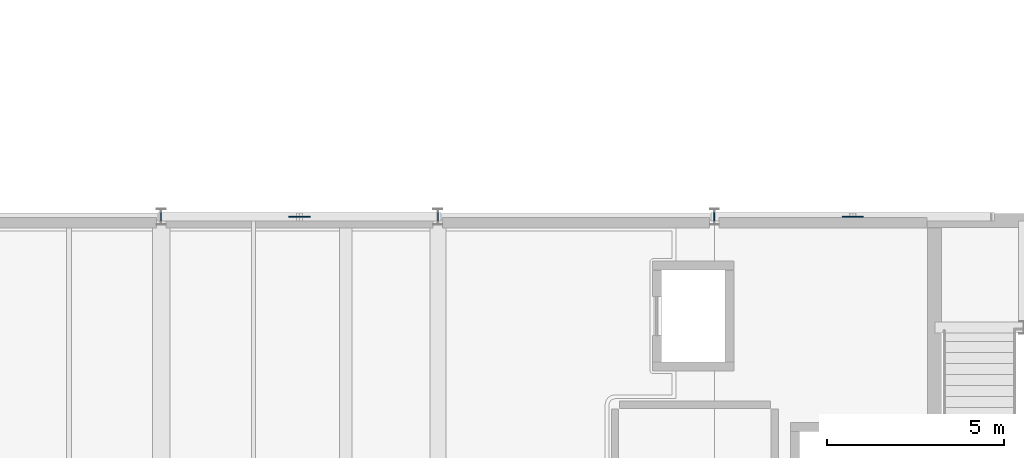
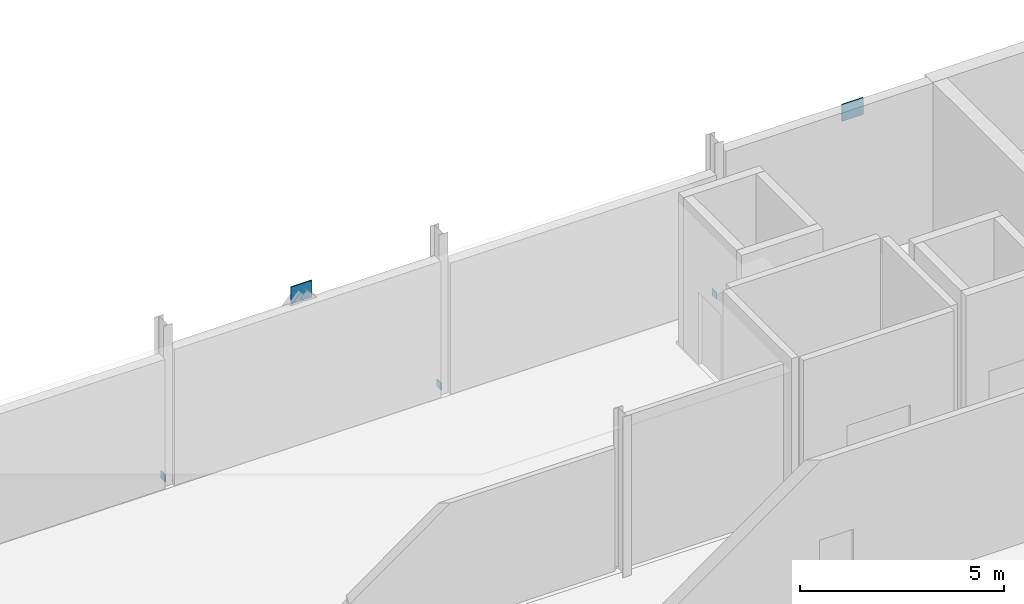
# One storey, part 107 of 127: 5 plates.
"""IFC4 building model written with IfcOpenShell, lengths in metres."""

from ifc_helpers import new_model, si_unit, derived_unit, direction, frame, origin, origin_2d, place, context, subcontext, project, spatial, rectangle, extrude, material, layer, layer_set, type_object, element, save


model = new_model("IFC4")

# Units and contexts
model_context = context("Model", 3, precision=1e-05, world=origin(), true_north=direction((0.0, 1.0)))
body_context = subcontext(model_context, "Body", "Model", "MODEL_VIEW")
ifc_project = project(units=[si_unit("LENGTHUNIT", "METRE"), si_unit("AREAUNIT", "SQUARE_METRE"), si_unit("VOLUMEUNIT", "CUBIC_METRE"), si_unit("PLANEANGLEUNIT", "RADIAN"), si_unit("MASSUNIT", "GRAM", prefix="KILO"), derived_unit("THERMALTRANSMITTANCEUNIT", [(si_unit("POWERUNIT", "WATT"), 1), (si_unit("LENGTHUNIT", "METRE"), -2), (si_unit("THERMODYNAMICTEMPERATUREUNIT", "KELVIN"), -1)])], contexts=[model_context])

# Site, building, storey
site_placement = place(None, origin())
site = spatial("IfcSite", under=ifc_project, at=site_placement, CompositionType="ELEMENT")
building_placement = place(site_placement, origin())
building = spatial("IfcBuilding", under=site, at=building_placement, Name="Nallur Shell Playhouse", CompositionType="ELEMENT")
storey_placement = place(building_placement, frame((0.0, 0.0, 5.39990234375)))
storey = spatial("IfcBuildingStorey", under=building, at=storey_placement, Name="L02", CompositionType="ELEMENT", Elevation=5.39990234375)

# Plates
ifc_material = material(Name="Steel E350", Category="steel")
ifc_layer_1 = layer(ifc_material, 0.02001953125)
ifc_layer_set_1 = layer_set([ifc_layer_1], Name="Steel E350")
plate_type_1 = type_object("IfcPlateType", Name="PT-ENDCAP-20", PredefinedType="SHEET", material=ifc_layer_set_1)
for number, where, z_axis, x_axis, name in (
    (1, (71.793212890625, 83.0, 0.03271484375), (0.0, 0.0, 1.0), (1.0, 0.0, 0.0), "Hollow end cap EC-BR-FT-L02-013-0"),
    (2, (79.60693359375, 83.0, 0.03271484375), (0.0, 0.0, 1.0), (1.0, 0.0, 0.0), "Hollow end cap EC-BR-FT-L02-014-0"),
    (3, (87.39306640625, 83.0, 0.03271484375), (0.0, 0.0, 1.0), (1.0, 0.0, 0.0), "Hollow end cap EC-BR-FT-L02-015-0"),
):
    element("IfcPlate", number, at=place(storey_placement, frame(where, z_axis=z_axis, x_axis=x_axis)), inside=storey, type_object=plate_type_1, Name=name, PredefinedType="SHEET", context=body_context, shape_type="SweptSolid", body=[
        extrude(rectangle(XDim=0.02001953125, YDim=0.219970703125, at=origin_2d()), origin(), (0.0, 0.0, 1.0), 0.219970703125),
    ])
ifc_layer_2 = layer(ifc_material, 0.034912109375)
ifc_layer_set_2 = layer_set([ifc_layer_2], Name="Steel E350")
plate_type_2 = type_object("IfcPlateType", Name="PT-GUSSET-35", PredefinedType="USERDEFINED", material=ifc_layer_set_2)
for number, where, z_axis, x_axis, name in (
    (4, (75.699951171875, 83.0, 4.0400390625), (0.0, 0.0, 1.0), (1.0, 0.0, 0.0), "Fly tower chevron node gusset plate TN-02 (L02)"),
    (5, (91.300048828125, 83.0, 4.0400390625), (0.0, 0.0, 1.0), (1.0, 0.0, 0.0), "Fly tower chevron node gusset plate TN-02 (L02)"),
):
    element("IfcPlate", number, at=place(storey_placement, frame(where, z_axis=z_axis, x_axis=x_axis)), inside=storey, type_object=plate_type_2, Name=name, ObjectType="GUSSET PLATE", PredefinedType="USERDEFINED", context=body_context, shape_type="SweptSolid", body=[
        extrude(rectangle(XDim=0.60009765625, YDim=0.034912109375, at=origin_2d()), origin(), (0.0, 0.0, 1.0), 0.5),
    ])

save(model, "model.ifc")
